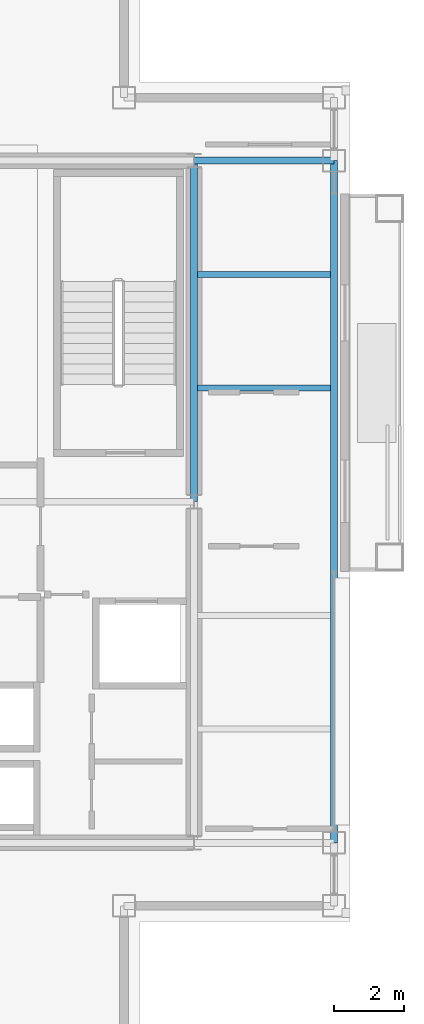
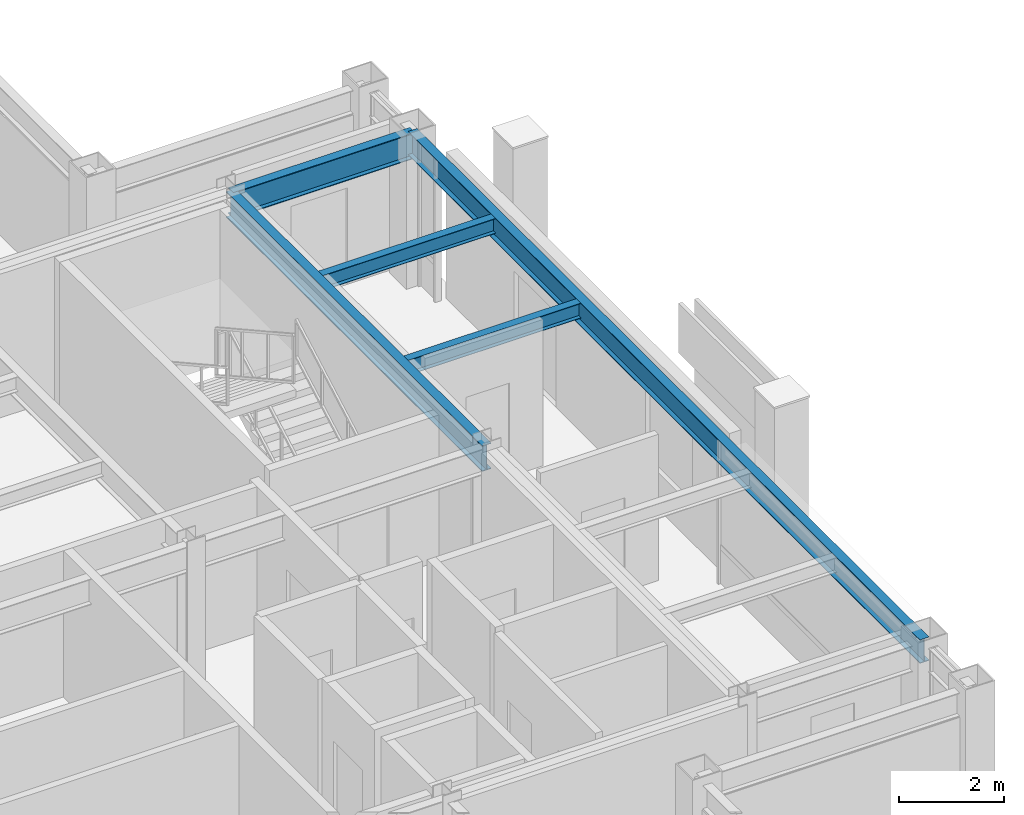
# One storey, part 12 of 24: 5 beams.
"""IFC4 building model written with IfcOpenShell, lengths in metres."""

import ifcopenshell
import ifcopenshell.guid

model = None  # the IFC model being written
_history = None  # IfcOwnerHistory: only IFC2X3 demands one
_inside = {}  # id of a spatial element -> (the spatial element, [elements in it])
_under = {}  # id of a project, library or spatial element -> (it, [spatial elements below it])
_declared = {}  # id of a project -> (the project, [libraries it declares])
_typed = {}  # id of a type object -> (the type object, [elements of that type])
_made_of = {}  # id of a material, layer set ... -> (it, [elements and type objects made of it])


def new_model(schema):
    """Start an empty IFC model of exactly this schema.

    Asked for "IFC4X3", IfcOpenShell would pick the latest addendum, in which some entities
    have other attributes; the version numbers below select the first issue.
    IFC2X3 requires an IfcOwnerHistory on every rooted entity: one is made here for all.
    """
    global model, _history
    if schema == "IFC4X3":
        model = ifcopenshell.file(schema_version=(4, 3, 0, 0))
    else:
        model = ifcopenshell.file(schema=schema)
    _inside.clear()
    _under.clear()
    _declared.clear()
    _typed.clear()
    _made_of.clear()
    _history = None
    if model.schema == "IFC2X3":
        org = make("IfcOrganization", Name="unknown")
        user = make(
            "IfcPersonAndOrganization",
            ThePerson=make("IfcPerson", FamilyName="unknown"),
            TheOrganization=org,
        )
        app = make(
            "IfcApplication",
            ApplicationDeveloper=org,
            Version="unknown",
            ApplicationFullName="unknown",
            ApplicationIdentifier="unknown",
        )
        _history = make(
            "IfcOwnerHistory",
            OwningUser=user,
            OwningApplication=app,
            ChangeAction="ADDED",
            CreationDate=0,
        )
    return model


def make(cls, **values):
    """One entity of the class cls with the attributes given. An attribute that is None is left unset."""
    return model.create_entity(
        cls, **{name: value for name, value in values.items() if value is not None}
    )


def rooted(cls, **values):
    """An entity with a GlobalId (a new one), such as an element, a storey or a relation."""
    return make(cls, GlobalId=ifcopenshell.guid.new(), OwnerHistory=_history, **values)


def si_unit(unit_type, name, prefix=None):
    """IfcSIUnit, for example si_unit("LENGTHUNIT", "METRE", prefix="MILLI")."""
    return make("IfcSIUnit", UnitType=unit_type, Prefix=prefix, Name=name)


def assignment(units):
    """IfcUnitAssignment: the units of a project."""
    return None if units is None else make("IfcUnitAssignment", Units=units)


def point(xyz):
    """IfcCartesianPoint."""
    return None if xyz is None else make("IfcCartesianPoint", Coordinates=xyz)


def direction(xyz):
    """IfcDirection."""
    return None if xyz is None else make("IfcDirection", DirectionRatios=xyz)


def frame(location, z_axis=None, x_axis=None):
    """IfcAxis2Placement3D, a coordinate frame: its origin and axes. An axis left out is left unset."""
    return make(
        "IfcAxis2Placement3D",
        Location=point(location),
        Axis=direction(z_axis),
        RefDirection=direction(x_axis),
    )


def frame_2d(location, x_axis=None):
    """IfcAxis2Placement2D, a coordinate frame in the plane: its origin and x axis."""
    return make(
        "IfcAxis2Placement2D", Location=point(location), RefDirection=direction(x_axis)
    )


def origin():
    """The frame at (0, 0, 0) with its axes left unset."""
    return frame((0.0, 0.0, 0.0))


def origin_2d():
    """The frame at (0, 0) in the plane with its x axis left unset."""
    return frame_2d((0.0, 0.0))


def place(relative_to, where):
    """IfcLocalPlacement: puts the frame where relative to a parent placement (None: the world)."""
    return make(
        "IfcLocalPlacement", PlacementRelTo=relative_to, RelativePlacement=where
    )


def context(
    kind, dimensions, precision=None, world=None, true_north=None, identifier=None
):
    """IfcGeometricRepresentationContext, for example the 3D "Model" context."""
    return make(
        "IfcGeometricRepresentationContext",
        ContextIdentifier=identifier,
        ContextType=kind,
        CoordinateSpaceDimension=dimensions,
        Precision=precision,
        WorldCoordinateSystem=world,
        TrueNorth=true_north,
    )


def subcontext(parent, identifier, kind, view, scale=None):
    """IfcGeometricRepresentationSubContext, for example "Body" below "Model"."""
    return make(
        "IfcGeometricRepresentationSubContext",
        ContextIdentifier=identifier,
        ContextType=kind,
        ParentContext=parent,
        TargetScale=scale,
        TargetView=view,
    )


def project(units=None, contexts=None):
    """IfcProject with its units and contexts."""
    return rooted(
        "IfcProject",
        Name="project",
        RepresentationContexts=contexts,
        UnitsInContext=assignment(units),
    )


def spatial(cls, under=None, at=None, **own):
    """A site, building, storey or space (cls), placed at a placement, below another one or the project."""
    s = rooted(cls, ObjectPlacement=at, **own)
    if under is not None:
        _under.setdefault(under.id(), (under, []))[1].append(s)
    return s


def profile(cls, at=None, kind="AREA", **sizes):
    """A parametric profile (cls). Its sizes go by their IFC names, for example OverallWidth=200.0."""
    return make(cls, ProfileType=kind, Position=at, **sizes)


def i_section(**sizes):
    """IfcIShapeProfileDef."""
    return profile("IfcIShapeProfileDef", **sizes)


def extrude(swept, where, along, depth):
    """IfcExtrudedAreaSolid: the profile swept, set in the frame where, extruded along a direction by depth."""
    return make(
        "IfcExtrudedAreaSolid",
        SweptArea=swept,
        Position=where,
        ExtrudedDirection=direction(along),
        Depth=depth,
    )


def shape(context_of_items, identifier, shape_type, items):
    """IfcShapeRepresentation: the items that make up one representation, for example the "Body"."""
    return make(
        "IfcShapeRepresentation",
        ContextOfItems=context_of_items,
        RepresentationIdentifier=identifier,
        RepresentationType=shape_type,
        Items=items,
    )


def material(Name=None, Category=None):
    """IfcMaterial."""
    return make("IfcMaterial", Name=Name, Category=Category)


def material_profile(
    of_material, cross_section, Name=None, Category=None, Priority=None
):
    """IfcMaterialProfile: a cross section and its material."""
    return make(
        "IfcMaterialProfile",
        Name=Name,
        Material=of_material,
        Profile=cross_section,
        Priority=Priority,
        Category=Category,
    )


def profile_set(profiles, Name=None, composite=None):
    """IfcMaterialProfileSet."""
    return make(
        "IfcMaterialProfileSet",
        Name=Name,
        MaterialProfiles=profiles,
        CompositeProfile=composite,
    )


def made_of(thing, what):
    """Note that an element or type object is made of a material, layer set ...; save() writes the relation."""
    if what is not None:
        _made_of.setdefault(what.id(), (what, []))[1].append(thing)
    return thing


def type_object(cls, material=None, **own):
    """A type object (cls), such as IfcWallType, which elements share."""
    return made_of(rooted(cls, **own), material)


def element(
    cls,
    number,
    at=None,
    inside=None,
    cuts=None,
    type_object=None,
    material=None,
    context=None,
    identifier="Body",
    shape_type=None,
    held_by="IfcProductDefinitionShape",
    body=None,
    shapes=None,
    **own,
):
    """One element of the class cls, such as IfcWall. Its Tag is "e" and its number.

    at: its placement. inside: the storey or other place that contains it. cuts: it is an
    opening in that element (IfcRelVoidsElement). A single representation is given by context,
    identifier, shape_type and body (its items); several are given by shapes. held_by: the class
    of the entity that holds the representations. save() writes the other relations.
    """
    e = rooted(cls, Tag="e%d" % number, ObjectPlacement=at, **own)
    if body is not None:
        shapes = [shape(context, identifier, shape_type, body)]
    if shapes is not None:
        e.Representation = make(held_by, Representations=shapes)
    if inside is not None:
        _inside.setdefault(inside.id(), (inside, []))[1].append(e)
    if cuts is not None:
        rooted(
            "IfcRelVoidsElement", RelatingBuildingElement=cuts, RelatedOpeningElement=e
        )
    if type_object is not None:
        _typed.setdefault(type_object.id(), (type_object, []))[1].append(e)
    return made_of(e, material)


def aggregate(whole, parts):
    """IfcRelAggregates: a whole, such as a stair, and the parts it consists of."""
    return rooted("IfcRelAggregates", RelatingObject=whole, RelatedObjects=parts)


def save(model, path):
    """Write the relations noted so far, then the file.

    IfcRelAggregates (storeys below a building ...), IfcRelContainedInSpatialStructure (elements
    in a storey), IfcRelDefinesByType, IfcRelAssociatesMaterial and IfcRelDeclares: one each for
    every whole, place, type object, material and project.
    """
    for whole, parts in _under.values():
        aggregate(whole, parts)
    for where, things in _inside.values():
        rooted(
            "IfcRelContainedInSpatialStructure",
            RelatedElements=things,
            RelatingStructure=where,
        )
    for kind, things in _typed.values():
        rooted("IfcRelDefinesByType", RelatedObjects=things, RelatingType=kind)
    for what, things in _made_of.values():
        rooted("IfcRelAssociatesMaterial", RelatedObjects=things, RelatingMaterial=what)
    for by, libraries in _declared.values():
        rooted("IfcRelDeclares", RelatingContext=by, RelatedDefinitions=libraries)
    model.write(path)


model = new_model("IFC4")

# Units and contexts
model_context = context("Model", 3, precision=1e-05, world=origin(), true_north=direction((0.0, 1.0)))
body_context = subcontext(model_context, "Body", "Model", "MODEL_VIEW")
ifc_project = project(units=[si_unit("LENGTHUNIT", "METRE"), si_unit("AREAUNIT", "SQUARE_METRE"), si_unit("VOLUMEUNIT", "CUBIC_METRE"), si_unit("PLANEANGLEUNIT", "RADIAN"), si_unit("MASSUNIT", "GRAM", prefix="KILO")], contexts=[model_context])

# Site, building, storey
site_placement = place(None, origin())
site = spatial("IfcSite", under=ifc_project, at=site_placement, CompositionType="ELEMENT")
building_placement = place(site_placement, origin())
building = spatial("IfcBuilding", under=site, at=building_placement, Name="Brelmoor Portico Tower", CompositionType="ELEMENT")
storey_placement = place(building_placement, frame((0.0, 0.0, 232.800048828125)))
storey = spatial("IfcBuildingStorey", under=building, at=storey_placement, Name="L61", CompositionType="ELEMENT", Elevation=232.800048828125)

# Beams
ifc_material = material(Name="Steel Q355B", Category="steel")
ifc_material_profile_1 = material_profile(ifc_material, i_section(OverallWidth=0.175048828125, OverallDepth=0.35009765625, WebThickness=0.007080078125, FlangeThickness=0.010986328125, at=origin_2d()), Name="HN 350x175x7x11")
ifc_profile_set_1 = profile_set([ifc_material_profile_1], Name="Steel Q355B")
beam_type_1 = type_object("IfcBeamType", Name="BM-JS-350", PredefinedType="JOIST", material=ifc_profile_set_1)
for number, where, z_axis, x_axis, name in (
    (1, (14.64990234375, 3.25, 3.224853515625), (1.0, 0.0, 0.0), (0.0, 1.0, 0.0), "L61 Secondary Wing Joist JS-E13"),
    (2, (14.64990234375, 6.5, 3.224853515625), (1.0, 0.0, 0.0), (0.0, 1.0, 0.0), "L61 Secondary Wing Joist JS-E14"),
):
    element("IfcBeam", number, at=place(storey_placement, frame(where, z_axis=z_axis, x_axis=x_axis)), inside=storey, type_object=beam_type_1, Name=name, PredefinedType="JOIST", context=body_context, shape_type="SweptSolid", body=[
        extrude(i_section(OverallWidth=0.175048828125, OverallDepth=0.35009765625, WebThickness=0.007080078125, FlangeThickness=0.010986328125, at=origin_2d()), origin(), (0.0, 0.0, 1.0), 3.800048828125),
    ])
ifc_material_profile_2 = material_profile(ifc_material, i_section(OverallWidth=0.199951171875, OverallDepth=0.60009765625, WebThickness=0.010986328125, FlangeThickness=0.01708984375, at=origin_2d()), Name="HN 600x200x11x17")
ifc_profile_set_2 = profile_set([ifc_material_profile_2], Name="Steel Q355B")
beam_type_2 = type_object("IfcBeamType", Name="BM-PG-600", PredefinedType="BEAM", material=ifc_profile_set_2)
beam_1_placement = place(storey_placement, frame((14.550048828125, 0.0, 3.099853515625), z_axis=(0.0, 1.0, 0.0), x_axis=(-1.0, 0.0, 0.0)))
element("IfcBeam", 3, at=beam_1_placement, inside=storey, type_object=beam_type_2, Name="L61 Primary Floor Girder PG-10", PredefinedType="BEAM", context=body_context, shape_type="SweptSolid", body=[
    extrude(i_section(OverallWidth=0.199951171875, OverallDepth=0.60009765625, WebThickness=0.010986328125, FlangeThickness=0.01708984375, at=origin_2d()), origin(), (0.0, 0.0, 1.0), 9.75),
])
beam_2_placement = place(storey_placement, frame((14.550048828125, 9.75, 3.099853515625), z_axis=(1.0, 0.0, 0.0), x_axis=(0.0, 1.0, 0.0)))
element("IfcBeam", 4, at=beam_2_placement, inside=storey, type_object=beam_type_2, Name="L61 Primary Floor Girder PG-23", PredefinedType="BEAM", context=body_context, shape_type="SweptSolid", body=[
    extrude(i_section(OverallWidth=0.199951171875, OverallDepth=0.60009765625, WebThickness=0.010986328125, FlangeThickness=0.01708984375, at=origin_2d()), origin(), (0.0, 0.0, 1.0), 4.0),
])
ifc_material_profile_3 = material_profile(ifc_material, i_section(OverallWidth=0.199951171875, OverallDepth=0.550048828125, WebThickness=0.010009765625, FlangeThickness=0.01611328125, at=origin_2d()), Name="HN 550x200x10x16")
ifc_profile_set_3 = profile_set([ifc_material_profile_3], Name="Steel Q355B")
beam_type_3 = type_object("IfcBeamType", Name="BM-SP-550", PredefinedType="SPANDREL", material=ifc_profile_set_3)
beam_3_placement = place(storey_placement, frame((18.550048828125, -9.75, 3.125), z_axis=(0.0, 1.0, 0.0), x_axis=(-1.0, 0.0, 0.0)))
element("IfcBeam", 5, at=beam_3_placement, inside=storey, type_object=beam_type_3, Name="L61 Perimeter Spandrel Beam SP-19", PredefinedType="SPANDREL", context=body_context, shape_type="SweptSolid", body=[
    extrude(i_section(OverallWidth=0.199951171875, OverallDepth=0.550048828125, WebThickness=0.010009765625, FlangeThickness=0.01611328125, at=origin_2d()), origin(), (0.0, 0.0, 1.0), 19.5),
])

save(model, "model.ifc")
